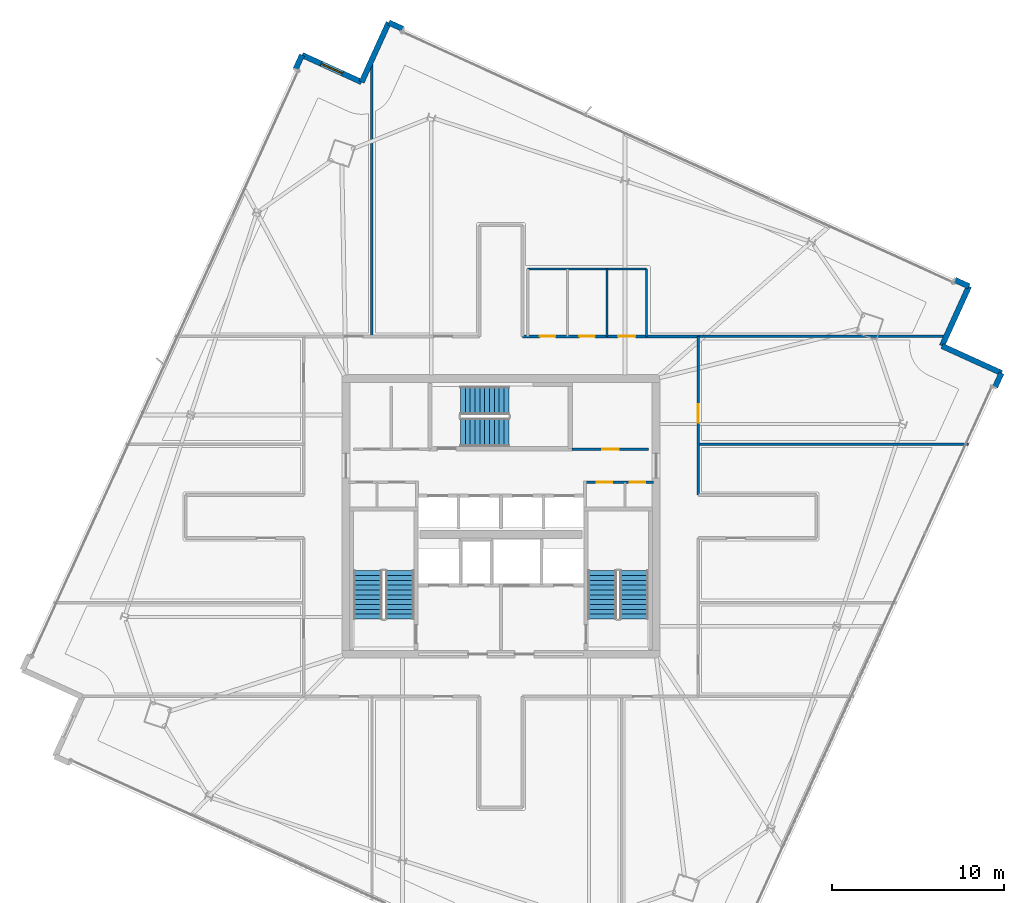
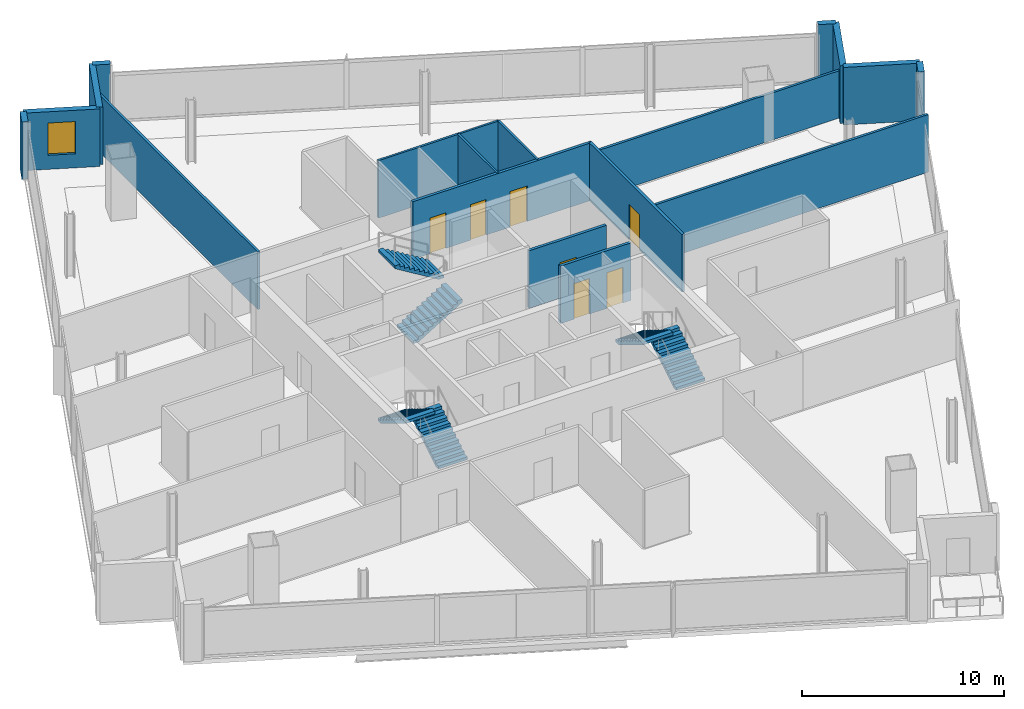
# One storey, part 21 of 26: 18 walls, 7 doors, 6 stair flights, 1 window, 8 openings, 3 elements without a shape of their own.
"""IFC4 building model written with IfcOpenShell, lengths in metres."""

from ifc_helpers import new_model, si_unit, direction, frame, frame_2d, origin, place, context, subcontext, project, spatial, polyline, rectangle, outline, extrude, material, layer, layer_set, type_object, element, fill, aggregate, save


model = new_model("IFC4")

# Units and contexts
model_context = context("Model", 3, precision=1e-05, world=origin(), true_north=direction((0.0, 1.0)))
body_context = subcontext(model_context, "Body", "Model", "MODEL_VIEW")
ifc_project = project(units=[si_unit("LENGTHUNIT", "METRE"), si_unit("AREAUNIT", "SQUARE_METRE"), si_unit("VOLUMEUNIT", "CUBIC_METRE"), si_unit("PLANEANGLEUNIT", "RADIAN"), si_unit("MASSUNIT", "GRAM", prefix="KILO")], contexts=[model_context])

# Site, building, storey
site_placement = place(None, origin())
site = spatial("IfcSite", under=ifc_project, at=site_placement, CompositionType="ELEMENT")
building_placement = place(site_placement, origin())
building = spatial("IfcBuilding", under=site, at=building_placement, Name="Haldenkirk Collegiate Tower", CompositionType="ELEMENT")
storey_placement = place(building_placement, frame((0.0, 0.0, 248.699951171875)))
storey = spatial("IfcBuildingStorey", under=building, at=storey_placement, Name="L62", CompositionType="ELEMENT", Elevation=248.699951171875)

# Walls
ifc_material_1 = material(Name="Precast concrete f'c 40 MPa", Category="concrete")
ifc_layer_1 = layer(ifc_material_1, 0.320068359375)
ifc_layer_set_1 = layer_set([ifc_layer_1], Name="Precast concrete f'c 40 MPa")
wall_type_1 = type_object("IfcWallType", Name="WL-EXT-TWR-320", PredefinedType="STANDARD", material=ifc_layer_set_1)
wall_1_placement = place(storey_placement, frame((65.0498046875, 34.32275390625, 0.0), z_axis=(0.0, 0.0, 1.0), x_axis=(-0.413925559836, -0.910310733165, 0.0)))
element("IfcWall", 1, at=wall_1_placement, inside=storey, type_object=wall_type_1, Name="L62 precast corner pier SL", PredefinedType="STANDARD", context=body_context, shape_type="SweptSolid", body=[
    extrude(rectangle(XDim=0.900146484375, YDim=0.320068359375, at=frame_2d((0.4501953125, 0.0))), origin(), (0.0, 0.0, 1.0), 3.47998046875),
])
for number, where, z_axis, x_axis, name in (
    (2, (61.590576171875, 35.8955078125, 0.0), (0.0, 0.0, 1.0), (0.910329069121, -0.413885232781, 0.0), "L62 bronze precast notch wall 02"),
    (3, (63.163330078125, 39.354736328125, 0.0), (0.0, 0.0, 1.0), (-0.413885232781, -0.910329069121, 0.0), "L62 bronze precast notch wall 03"),
):
    element("IfcWall", number, at=place(storey_placement, frame(where, z_axis=z_axis, x_axis=x_axis)), inside=storey, type_object=wall_type_1, Name=name, PredefinedType="STANDARD", context=body_context, shape_type="SweptSolid", body=[
        extrude(rectangle(XDim=3.800048828125, YDim=0.320068359375, at=frame_2d((1.89990234375, 0.0))), origin(), (0.0, 0.0, 1.0), 3.47998046875),
    ])
for number, where, z_axis, x_axis, name in (
    (4, (29.4814453125, 54.6689453125, 0.0), (0.0, 0.0, 1.0), (0.910310733165, -0.413925559836, 0.0), "L62 precast corner pier EL"),
    (5, (62.343994140625, 39.727294921875, 0.0), (0.0, 0.0, 1.0), (0.910310733165, -0.413925559836, 0.0), "L62 precast corner pier ER"),
):
    element("IfcWall", number, at=place(storey_placement, frame(where, z_axis=z_axis, x_axis=x_axis)), inside=storey, type_object=wall_type_1, Name=name, PredefinedType="STANDARD", context=body_context, shape_type="SweptSolid", body=[
        extrude(rectangle(XDim=0.900146484375, YDim=0.320068359375, at=frame_2d((0.4501953125, 0.0))), origin(), (0.0, 0.0, 1.0), 3.47998046875),
    ])
wall_2_placement = place(storey_placement, frame((27.90869140625, 51.209716796875, 0.0), z_axis=(0.0, 0.0, 1.0), x_axis=(0.413885232781, 0.910329069121, 0.0)))
element("IfcWall", 6, at=wall_2_placement, inside=storey, type_object=wall_type_1, Name="L62 bronze precast notch wall 05", PredefinedType="STANDARD", context=body_context, shape_type="SweptSolid", body=[
    extrude(rectangle(XDim=3.800048828125, YDim=0.320068359375, at=frame_2d((1.89990234375, 0.0))), origin(), (0.0, 0.0, 1.0), 3.47998046875),
])

# Wall, opening, window
wall_3_placement = place(storey_placement, frame((24.449462890625, 52.782470703125, 0.0), z_axis=(0.0, 0.0, 1.0), x_axis=(0.910329069121, -0.413885232781, 0.0)))
wall_3 = element("IfcWall", 7, at=wall_3_placement, inside=storey, type_object=wall_type_1, Name="L62 bronze precast notch wall 06", PredefinedType="STANDARD", context=body_context, shape_type="SweptSolid", body=[
    extrude(rectangle(XDim=3.800048828125, YDim=0.320068359375, at=frame_2d((1.89990234375, 0.0))), origin(), (0.0, 0.0, 1.0), 3.47998046875),
])
opening_1_placement = place(wall_3_placement, frame((1.22509765625, 0.0, 0.85009765625)))
opening_1 = element("IfcOpeningElement", 8, at=opening_1_placement, cuts=wall_3, Name="Opening W-07", PredefinedType="OPENING", context=body_context, shape_type="SweptSolid", body=[
    extrude(rectangle(XDim=1.35009765625, YDim=1.949951171875, at=frame_2d((0.675048828125, 0.97509765625))), frame((0.0, 0.169921875, 0.0), z_axis=(0.0, -1.0, 0.0), x_axis=(1.0, 0.0, 0.0)), (0.0, 0.0, 1.0), 0.340087890625),
])
ifc_material_2 = material(Name="Low-E argon triple insulating glass", Category="glass")
ifc_layer_2 = layer(ifc_material_2, 0.090087890625)
ifc_layer_set_2 = layer_set([ifc_layer_2], Name="Low-E argon triple insulating glass")
window_type = type_object("IfcWindowType", Name="WN-Z5-1350X1950", PartitioningType="SINGLE_PANEL", PredefinedType="WINDOW", material=ifc_layer_set_2)
window_placement = place(opening_1_placement, origin())
window = element("IfcWindow", 9, at=window_placement, inside=storey, type_object=window_type, Name="L62 precast-frame academic window 5", OverallHeight=1.949951171875, OverallWidth=1.35009765625, PartitioningType="SINGLE_PANEL", PredefinedType="WINDOW", context=body_context, shape_type="SweptSolid", body=[
    extrude(rectangle(XDim=1.35009765625, YDim=1.949951171875, at=frame_2d((0.675048828125, 0.97509765625))), frame((0.0, 0.030029296875, 0.0), z_axis=(0.0, -1.0, 0.0), x_axis=(1.0, 0.0, 0.0)), (0.0, 0.0, 1.0), 0.06005859375),
])
fill(opening_1, window)

# Wall
wall_4_placement = place(storey_placement, frame((24.076904296875, 51.963134765625, 0.0), z_axis=(0.0, 0.0, 1.0), x_axis=(0.413925559836, 0.910310733165, 0.0)))
element("IfcWall", 10, at=wall_4_placement, inside=storey, type_object=wall_type_1, Name="L62 precast corner pier NR", PredefinedType="STANDARD", context=body_context, shape_type="SweptSolid", body=[
    extrude(rectangle(XDim=0.900146484375, YDim=0.320068359375, at=frame_2d((0.4501953125, 0.0))), origin(), (0.0, 0.0, 1.0), 3.47998046875),
])

# Wall, openings, doors
ifc_material_3 = material(Name="Acoustic fire-rated gypsum partition", Category="concrete")
ifc_layer_3 = layer(ifc_material_3, 0.159912109375)
ifc_layer_set_3 = layer_set([ifc_layer_3], Name="Acoustic fire-rated gypsum partition")
wall_type_2 = type_object("IfcWallType", Name="WL-INT-CORR-160", PredefinedType="PARTITIONING", material=ifc_layer_set_3)
wall_5_placement = place(storey_placement, frame((40.800048828125, 27.97998046875, 0.0), z_axis=(0.0, 0.0, 1.0), x_axis=(1.0, 0.0, 0.0)))
wall_5 = element("IfcWall", 11, at=wall_5_placement, inside=storey, type_object=wall_type_2, Name="L62 interior partition IW-L62-VCSE-N", PredefinedType="PARTITIONING", context=body_context, shape_type="SweptSolid", body=[
    extrude(rectangle(XDim=4.050048828125, YDim=0.159912109375, at=frame_2d((2.02490234375, 0.0))), origin(), (0.0, 0.0, 1.0), 3.47998046875),
])
opening_2_placement = place(wall_5_placement, frame((0.77001953125, 0.0, 0.0)))
opening_2 = element("IfcOpeningElement", 12, at=opening_2_placement, cuts=wall_5, Name="Opening D-11", PredefinedType="OPENING", context=body_context, shape_type="SweptSolid", body=[
    extrude(rectangle(XDim=0.89990234375, YDim=2.14990234375, at=frame_2d((0.449951171875, 1.074951171875))), frame((0.0, 0.08984375, 0.0), z_axis=(0.0, -1.0, 0.0), x_axis=(1.0, 0.0, 0.0)), (0.0, 0.0, 1.0), 0.179931640625),
])
opening_3_placement = place(wall_5_placement, frame((2.679931640625, 0.0, 0.0)))
opening_3 = element("IfcOpeningElement", 13, at=opening_3_placement, cuts=wall_5, Name="Opening D-11", PredefinedType="OPENING", context=body_context, shape_type="SweptSolid", body=[
    extrude(rectangle(XDim=0.89990234375, YDim=2.14990234375, at=frame_2d((0.449951171875, 1.074951171875))), frame((0.0, 0.08984375, 0.0), z_axis=(0.0, -1.0, 0.0), x_axis=(1.0, 0.0, 0.0)), (0.0, 0.0, 1.0), 0.179931640625),
])
ifc_material_4 = material(Name="Solid-core architectural oak fire door", Category="wood")
ifc_layer_4 = layer(ifc_material_4, 0.06005859375)
ifc_layer_set_4 = layer_set([ifc_layer_4], Name="Solid-core architectural oak fire door")
door_type_1 = type_object("IfcDoorType", Name="DR-INT-FD60-900", OperationType="NOTDEFINED", PredefinedType="DOOR", material=ifc_layer_set_4)
door_1_placement = place(opening_2_placement, origin())
door_1 = element("IfcDoor", 14, at=door_1_placement, inside=storey, type_object=door_type_1, Name="L62 core archive door", OperationType="SINGLE_SWING_RIGHT", OverallHeight=2.14990234375, OverallWidth=0.89990234375, PredefinedType="DOOR", context=body_context, shape_type="SweptSolid", body=[
    extrude(rectangle(XDim=0.89990234375, YDim=2.14990234375, at=frame_2d((0.449951171875, 1.074951171875))), frame((0.0, 0.02490234375, 0.0), z_axis=(0.0, -1.0, 0.0), x_axis=(1.0, 0.0, 0.0)), (0.0, 0.0, 1.0), 0.050048828125),
])
fill(opening_2, door_1)
door_2_placement = place(opening_3_placement, origin())
door_2 = element("IfcDoor", 15, at=door_2_placement, inside=storey, type_object=door_type_1, Name="L62 core telecom door", OperationType="SINGLE_SWING_LEFT", OverallHeight=2.14990234375, OverallWidth=0.89990234375, PredefinedType="DOOR", context=body_context, shape_type="SweptSolid", body=[
    extrude(rectangle(XDim=0.89990234375, YDim=2.14990234375, at=frame_2d((0.449951171875, 1.074951171875))), frame((0.0, 0.02490234375, 0.0), z_axis=(0.0, -1.0, 0.0), x_axis=(1.0, 0.0, 0.0)), (0.0, 0.0, 1.0), 0.050048828125),
])
fill(opening_3, door_2)

# Wall, opening, door
wall_6_placement = place(storey_placement, frame((40.1201171875, 29.89990234375, 0.0), z_axis=(0.0, 0.0, 1.0), x_axis=(1.0, 0.0, 0.0)))
wall_6 = element("IfcWall", 16, at=wall_6_placement, inside=storey, type_object=wall_type_2, Name="L62 interior partition IW-L62-PMS", PredefinedType="PARTITIONING", context=body_context, shape_type="SweptSolid", body=[
    extrude(rectangle(XDim=4.429931640625, YDim=0.159912109375, at=frame_2d((2.21484375, 0.0))), origin(), (0.0, 0.0, 1.0), 3.47998046875),
])
opening_4_placement = place(wall_6_placement, frame((1.7548828125, 0.0, 0.0)))
opening_4 = element("IfcOpeningElement", 17, at=opening_4_placement, cuts=wall_6, Name="Opening D-10", PredefinedType="OPENING", context=body_context, shape_type="SweptSolid", body=[
    extrude(rectangle(XDim=0.949951171875, YDim=2.14990234375, at=frame_2d((0.47509765625, 1.074951171875))), frame((0.0, 0.08984375, 0.0), z_axis=(0.0, -1.0, 0.0), x_axis=(1.0, 0.0, 0.0)), (0.0, 0.0, 1.0), 0.179931640625),
])
ifc_layer_5 = layer(ifc_material_4, 0.06005859375)
ifc_layer_set_5 = layer_set([ifc_layer_5], Name="Solid-core architectural oak fire door")
door_type_2 = type_object("IfcDoorType", Name="DR-INT-FD60-950", OperationType="NOTDEFINED", PredefinedType="DOOR", material=ifc_layer_set_5)
door_3_placement = place(opening_4_placement, origin())
door_3 = element("IfcDoor", 18, at=door_3_placement, inside=storey, type_object=door_type_2, Name="L62 reference archive door", OperationType="SINGLE_SWING_RIGHT", OverallHeight=2.14990234375, OverallWidth=0.949951171875, PredefinedType="DOOR", context=body_context, shape_type="SweptSolid", body=[
    extrude(rectangle(XDim=0.949951171875, YDim=2.14990234375, at=frame_2d((0.47509765625, 1.074951171875))), frame((0.0, 0.02490234375, 0.0), z_axis=(0.0, -1.0, 0.0), x_axis=(1.0, 0.0, 0.0)), (0.0, 0.0, 1.0), 0.050048828125),
])
fill(opening_4, door_3)

# Wall, openings, doors
wall_7_placement = place(storey_placement, frame((37.25, 36.449951171875, 0.0), z_axis=(0.0, 0.0, 1.0), x_axis=(1.0, 0.0, 0.0)))
wall_7 = element("IfcWall", 19, at=wall_7_placement, inside=storey, type_object=wall_type_2, Name="L62 interior partition IW-L62-CN2", PredefinedType="PARTITIONING", context=body_context, shape_type="SweptSolid", body=[
    extrude(rectangle(XDim=10.25, YDim=0.159912109375, at=frame_2d((5.125, 0.0))), origin(), (0.0, 0.0, 1.0), 3.47998046875),
])
opening_5_placement = place(wall_7_placement, frame((1.0, 0.0, 0.0)))
opening_5 = element("IfcOpeningElement", 20, at=opening_5_placement, cuts=wall_7, Name="Opening D-13", PredefinedType="OPENING", context=body_context, shape_type="SweptSolid", body=[
    extrude(rectangle(XDim=0.89990234375, YDim=2.14990234375, at=frame_2d((0.449951171875, 1.074951171875))), frame((0.0, 0.08984375, 0.0), z_axis=(0.0, -1.0, 0.0), x_axis=(1.0, 0.0, 0.0)), (0.0, 0.0, 1.0), 0.179931640625),
])
opening_6_placement = place(wall_7_placement, frame((3.300048828125, 0.0, 0.0)))
opening_6 = element("IfcOpeningElement", 21, at=opening_6_placement, cuts=wall_7, Name="Opening D-13", PredefinedType="OPENING", context=body_context, shape_type="SweptSolid", body=[
    extrude(rectangle(XDim=0.89990234375, YDim=2.14990234375, at=frame_2d((0.449951171875, 1.074951171875))), frame((0.0, 0.08984375, 0.0), z_axis=(0.0, -1.0, 0.0), x_axis=(1.0, 0.0, 0.0)), (0.0, 0.0, 1.0), 0.179931640625),
])
opening_7_placement = place(wall_7_placement, frame((5.550048828125, 0.0, 0.0)))
opening_7 = element("IfcOpeningElement", 22, at=opening_7_placement, cuts=wall_7, Name="Opening D-14", PredefinedType="OPENING", context=body_context, shape_type="SweptSolid", body=[
    extrude(rectangle(XDim=1.0, YDim=2.14990234375, at=frame_2d((0.5, 1.074951171875))), frame((0.0, 0.08984375, 0.0), z_axis=(0.0, -1.0, 0.0), x_axis=(1.0, 0.0, 0.0)), (0.0, 0.0, 1.0), 0.179931640625),
])
ifc_layer_6 = layer(ifc_material_4, 0.06005859375)
ifc_layer_set_6 = layer_set([ifc_layer_6], Name="Solid-core architectural oak fire door")
door_type_3 = type_object("IfcDoorType", Name="DR-INT-ACC-1000", OperationType="NOTDEFINED", PredefinedType="DOOR", material=ifc_layer_set_6)
door_4_placement = place(opening_7_placement, origin())
door_4 = element("IfcDoor", 23, at=door_4_placement, inside=storey, type_object=door_type_3, Name="L62 Accessible WC door", OperationType="SINGLE_SWING_LEFT", OverallHeight=2.14990234375, OverallWidth=1.0, PredefinedType="DOOR", context=body_context, shape_type="SweptSolid", body=[
    extrude(rectangle(XDim=1.0, YDim=2.14990234375, at=frame_2d((0.5, 1.074951171875))), frame((0.0, 0.02490234375, 0.0), z_axis=(0.0, -1.0, 0.0), x_axis=(1.0, 0.0, 0.0)), (0.0, 0.0, 1.0), 0.050048828125),
])
fill(opening_7, door_4)
ifc_layer_7 = layer(ifc_material_4, 0.06005859375)
ifc_layer_set_7 = layer_set([ifc_layer_7], Name="Solid-core architectural oak fire door")
door_type_4 = type_object("IfcDoorType", Name="DR-INT-STD-900", OperationType="NOTDEFINED", PredefinedType="DOOR", material=ifc_layer_set_7)
door_5_placement = place(opening_5_placement, origin())
door_5 = element("IfcDoor", 24, at=door_5_placement, inside=storey, type_object=door_type_4, Name="L62 Male WC door", OperationType="SINGLE_SWING_LEFT", OverallHeight=2.14990234375, OverallWidth=0.89990234375, PredefinedType="DOOR", context=body_context, shape_type="SweptSolid", body=[
    extrude(rectangle(XDim=0.89990234375, YDim=2.14990234375, at=frame_2d((0.449951171875, 1.074951171875))), frame((0.0, 0.02490234375, 0.0), z_axis=(0.0, -1.0, 0.0), x_axis=(1.0, 0.0, 0.0)), (0.0, 0.0, 1.0), 0.050048828125),
])
fill(opening_5, door_5)
door_6_placement = place(opening_6_placement, origin())
door_6 = element("IfcDoor", 25, at=door_6_placement, inside=storey, type_object=door_type_4, Name="L62 Female WC door", OperationType="SINGLE_SWING_RIGHT", OverallHeight=2.14990234375, OverallWidth=0.89990234375, PredefinedType="DOOR", context=body_context, shape_type="SweptSolid", body=[
    extrude(rectangle(XDim=0.89990234375, YDim=2.14990234375, at=frame_2d((0.449951171875, 1.074951171875))), frame((0.0, 0.02490234375, 0.0), z_axis=(0.0, -1.0, 0.0), x_axis=(1.0, 0.0, 0.0)), (0.0, 0.0, 1.0), 0.050048828125),
])
fill(opening_6, door_6)

# Wall, opening, door
wall_8_placement = place(storey_placement, frame((47.449951171875, 27.25, 0.0), z_axis=(0.0, 0.0, 1.0), x_axis=(0.0, 1.0, 0.0)))
wall_8 = element("IfcWall", 26, at=wall_8_placement, inside=storey, type_object=wall_type_2, Name="L62 interior partition IW-L62-CE2", PredefinedType="PARTITIONING", context=body_context, shape_type="SweptSolid", body=[
    extrude(rectangle(XDim=9.199951171875, YDim=0.159912109375, at=frame_2d((4.60009765625, 0.0))), origin(), (0.0, 0.0, 1.0), 3.47998046875),
])
opening_8_placement = place(wall_8_placement, frame((4.198974609375, 0.0, 0.0)))
opening_8 = element("IfcOpeningElement", 27, at=opening_8_placement, cuts=wall_8, Name="Opening D-09", PredefinedType="OPENING", context=body_context, shape_type="SweptSolid", body=[
    extrude(rectangle(XDim=1.050048828125, YDim=2.14990234375, at=frame_2d((0.52490234375, 1.074951171875))), frame((0.0, 0.08984375, 0.0), z_axis=(0.0, -1.0, 0.0), x_axis=(1.0, 0.0, 0.0)), (0.0, 0.0, 1.0), 0.179931640625),
])
ifc_layer_8 = layer(ifc_material_4, 0.06005859375)
ifc_layer_set_8 = layer_set([ifc_layer_8], Name="Solid-core architectural oak fire door")
door_type_5 = type_object("IfcDoorType", Name="DR-INT-FD60-1050", OperationType="NOTDEFINED", PredefinedType="DOOR", material=ifc_layer_set_8)
door_7_placement = place(opening_8_placement, origin())
door_7 = element("IfcDoor", 28, at=door_7_placement, inside=storey, type_object=door_type_5, Name="L62 Visiting Scholar Office 11 door", OperationType="SINGLE_SWING_RIGHT", OverallHeight=2.14990234375, OverallWidth=1.050048828125, PredefinedType="DOOR", context=body_context, shape_type="SweptSolid", body=[
    extrude(rectangle(XDim=1.050048828125, YDim=2.14990234375, at=frame_2d((0.52490234375, 1.074951171875))), frame((0.0, 0.02490234375, 0.0), z_axis=(0.0, -1.0, 0.0), x_axis=(1.0, 0.0, 0.0)), (0.0, 0.0, 1.0), 0.050048828125),
])
fill(opening_8, door_7)

# Walls
ifc_layer_9 = layer(ifc_material_3, 0.139892578125)
ifc_layer_set_9 = layer_set([ifc_layer_9], Name="Acoustic fire-rated gypsum partition")
wall_type_3 = type_object("IfcWallType", Name="WL-INT-DIV-140", PredefinedType="PARTITIONING", material=ifc_layer_set_9)
wall_9_placement = place(storey_placement, frame((47.449951171875, 36.449951171875, 0.0), z_axis=(0.0, 0.0, 1.0), x_axis=(1.0, 0.0, 0.0)))
element("IfcWall", 29, at=wall_9_placement, inside=storey, type_object=wall_type_3, Name="L62 interior partition IW-L62-BEN", PredefinedType="PARTITIONING", context=body_context, shape_type="SweptSolid", body=[
    extrude(rectangle(XDim=14.348876953125, YDim=0.139892578125, at=frame_2d((7.17431640625, 0.0))), origin(), (0.0, 0.0, 1.0), 2.858154296875),
])
wall_10_placement = place(storey_placement, frame((28.5, 36.449951171875, 0.0), z_axis=(0.0, 0.0, 1.0), x_axis=(0.0, 1.0, 0.0)))
element("IfcWall", 30, at=wall_10_placement, inside=storey, type_object=wall_type_3, Name="L62 interior partition IW-L62-RN1", PredefinedType="PARTITIONING", context=body_context, shape_type="SweptSolid", body=[
    extrude(rectangle(XDim=15.963623046875, YDim=0.139892578125, at=frame_2d((7.98193359375, 0.0))), origin(), (0.0, 0.0, 1.0), 3.47998046875),
])
wall_11_placement = place(storey_placement, frame((47.449951171875, 30.199951171875, 0.0), z_axis=(0.0, 0.0, 1.0), x_axis=(1.0, 0.0, 0.0)))
element("IfcWall", 31, at=wall_11_placement, inside=storey, type_object=wall_type_3, Name="L62 interior partition IW-L62-RE2", PredefinedType="PARTITIONING", context=body_context, shape_type="SweptSolid", body=[
    extrude(rectangle(XDim=15.681396484375, YDim=0.139892578125, at=frame_2d((7.8408203125, 0.0))), origin(), (0.0, 0.0, 1.0), 3.47998046875),
])
ifc_layer_10 = layer(ifc_material_3, 0.1201171875)
ifc_layer_set_10 = layer_set([ifc_layer_10], Name="Acoustic fire-rated gypsum partition")
wall_type_4 = type_object("IfcWallType", Name="WL-INT-WET-120", PredefinedType="PARTITIONING", material=ifc_layer_set_10)
for number, where, z_axis, x_axis, name in (
    (32, (42.14990234375, 36.449951171875, 0.0), (0.0, 0.0, 1.0), (0.0, 1.0, 0.0), "L62 interior partition IW-L62-WC2"),
    (33, (44.449951171875, 36.449951171875, 0.0), (0.0, 0.0, 1.0), (0.0, 1.0, 0.0), "L62 interior partition IW-L62-WCE"),
):
    element("IfcWall", number, at=place(storey_placement, frame(where, z_axis=z_axis, x_axis=x_axis)), inside=storey, type_object=wall_type_4, Name=name, PredefinedType="PARTITIONING", context=body_context, shape_type="SweptSolid", body=[
        extrude(rectangle(XDim=3.900146484375, YDim=0.1201171875, at=frame_2d((1.9501953125, 0.0))), origin(), (0.0, 0.0, 1.0), 3.47998046875),
    ])
wall_12_placement = place(storey_placement, frame((37.550048828125, 40.35009765625, 0.0), z_axis=(0.0, 0.0, 1.0), x_axis=(1.0, 0.0, 0.0)))
element("IfcWall", 34, at=wall_12_placement, inside=storey, type_object=wall_type_4, Name="L62 interior partition IW-L62-WCB", PredefinedType="PARTITIONING", context=body_context, shape_type="SweptSolid", body=[
    extrude(rectangle(XDim=6.89990234375, YDim=0.1201171875, at=frame_2d((3.449951171875, 0.0))), origin(), (0.0, 0.0, 1.0), 3.47998046875),
])

# Stair, stair flights
ifc_material_5 = material(Name="Concrete f'c 40 MPa", Category="concrete")
stair_type = type_object("IfcStairType", Name="STR-DOGLEG-1650", PredefinedType="HALF_TURN_STAIR", material=ifc_material_5)
stair_1_placement = place(storey_placement, origin())
stair_1 = element("IfcStair", 35, at=stair_1_placement, inside=storey, type_object=stair_type, Name="L62 Core Exit Stair ST-1", PredefinedType="HALF_TURN_STAIR")
stair_flight_type = type_object("IfcStairFlightType", Name="STF-FLIGHT-1650", PredefinedType="STRAIGHT", material=ifc_material_5)
stair_flight_1_placement = place(storey_placement, frame((30.125, 20.050048828125, 0.0), z_axis=(0.0, 0.0, 1.0), x_axis=(0.0, 1.0, 0.0)))
stair_flight_1 = element("IfcStairFlight", 36, at=stair_flight_1_placement, type_object=stair_flight_type, Name="ST-1 flight 1", NumberOfRisers=11, NumberOfTreads=10, PredefinedType="STRAIGHT", RiserHeight=0.170454545, TreadLength=0.28, context=body_context, shape_type="SweptSolid", body=[
    extrude(outline(polyline([(0.0, 0.0), (0.0, 0.17041015625), (0.280029296875, 0.17041015625), (0.280029296875, 0.3408203125), (0.56005859375, 0.3408203125), (0.56005859375, 0.511474609375), (0.840087890625, 0.511474609375), (0.840087890625, 0.681884765625), (1.1201171875, 0.681884765625), (1.1201171875, 0.852294921875), (1.39990234375, 0.852294921875), (1.39990234375, 1.022705078125), (1.679931640625, 1.022705078125), (1.679931640625, 1.193115234375), (1.9599609375, 1.193115234375), (1.9599609375, 1.363525390625), (2.239990234375, 1.363525390625), (2.239990234375, 1.5341796875), (2.52001953125, 1.5341796875), (2.52001953125, 1.70458984375), (2.800048828125, 1.70458984375), (2.800048828125, 1.875), (2.800048828125, 1.529052734375), (0.288330078125, 0.0), (0.0, 0.0)])), frame((0.0, 0.824951171875, 0.0), z_axis=(0.0, -1.0, 0.0), x_axis=(1.0, 0.0, 0.0)), (0.0, 0.0, 1.0), 1.64990234375),
])
stair_flight_2_placement = place(storey_placement, frame((28.27490234375, 22.85009765625, 1.875), z_axis=(0.0, 0.0, 1.0), x_axis=(0.0, -1.0, 0.0)))
stair_flight_2 = element("IfcStairFlight", 37, at=stair_flight_2_placement, type_object=stair_flight_type, Name="ST-1 flight 2", NumberOfRisers=11, NumberOfTreads=10, PredefinedType="STRAIGHT", RiserHeight=0.170454545, TreadLength=0.28, context=body_context, shape_type="SweptSolid", body=[
    extrude(outline(polyline([(0.0, 0.0), (0.0, 0.17041015625), (0.280029296875, 0.17041015625), (0.280029296875, 0.3408203125), (0.56005859375, 0.3408203125), (0.56005859375, 0.511474609375), (0.840087890625, 0.511474609375), (0.840087890625, 0.681884765625), (1.1201171875, 0.681884765625), (1.1201171875, 0.852294921875), (1.39990234375, 0.852294921875), (1.39990234375, 1.022705078125), (1.679931640625, 1.022705078125), (1.679931640625, 1.193115234375), (1.9599609375, 1.193115234375), (1.9599609375, 1.363525390625), (2.239990234375, 1.363525390625), (2.239990234375, 1.5341796875), (2.52001953125, 1.5341796875), (2.52001953125, 1.70458984375), (2.800048828125, 1.70458984375), (2.800048828125, 1.875), (2.800048828125, 1.529052734375), (0.288330078125, 0.0), (0.0, 0.0)])), frame((0.0, 0.824951171875, 0.0), z_axis=(0.0, -1.0, 0.0), x_axis=(1.0, 0.0, 0.0)), (0.0, 0.0, 1.0), 1.64990234375),
])
aggregate(stair_1, [stair_flight_1, stair_flight_2])

stair_2_placement = place(storey_placement, origin())
stair_2 = element("IfcStair", 38, at=stair_2_placement, inside=storey, type_object=stair_type, Name="L62 Core Exit Stair ST-2", PredefinedType="HALF_TURN_STAIR")
stair_flight_3_placement = place(storey_placement, frame((43.72509765625, 20.050048828125, 0.0), z_axis=(0.0, 0.0, 1.0), x_axis=(0.0, 1.0, 0.0)))
stair_flight_3 = element("IfcStairFlight", 39, at=stair_flight_3_placement, type_object=stair_flight_type, Name="ST-2 flight 1", NumberOfRisers=11, NumberOfTreads=10, PredefinedType="STRAIGHT", RiserHeight=0.170454545, TreadLength=0.28, context=body_context, shape_type="SweptSolid", body=[
    extrude(outline(polyline([(0.0, 0.0), (0.0, 0.17041015625), (0.280029296875, 0.17041015625), (0.280029296875, 0.3408203125), (0.56005859375, 0.3408203125), (0.56005859375, 0.511474609375), (0.840087890625, 0.511474609375), (0.840087890625, 0.681884765625), (1.1201171875, 0.681884765625), (1.1201171875, 0.852294921875), (1.39990234375, 0.852294921875), (1.39990234375, 1.022705078125), (1.679931640625, 1.022705078125), (1.679931640625, 1.193115234375), (1.9599609375, 1.193115234375), (1.9599609375, 1.363525390625), (2.239990234375, 1.363525390625), (2.239990234375, 1.5341796875), (2.52001953125, 1.5341796875), (2.52001953125, 1.70458984375), (2.800048828125, 1.70458984375), (2.800048828125, 1.875), (2.800048828125, 1.529052734375), (0.288330078125, 0.0), (0.0, 0.0)])), frame((0.0, 0.824951171875, 0.0), z_axis=(0.0, -1.0, 0.0), x_axis=(1.0, 0.0, 0.0)), (0.0, 0.0, 1.0), 1.64990234375),
])
stair_flight_4_placement = place(storey_placement, frame((41.875, 22.85009765625, 1.875), z_axis=(0.0, 0.0, 1.0), x_axis=(0.0, -1.0, 0.0)))
stair_flight_4 = element("IfcStairFlight", 40, at=stair_flight_4_placement, type_object=stair_flight_type, Name="ST-2 flight 2", NumberOfRisers=11, NumberOfTreads=10, PredefinedType="STRAIGHT", RiserHeight=0.170454545, TreadLength=0.28, context=body_context, shape_type="SweptSolid", body=[
    extrude(outline(polyline([(0.0, 0.0), (0.0, 0.17041015625), (0.280029296875, 0.17041015625), (0.280029296875, 0.3408203125), (0.56005859375, 0.3408203125), (0.56005859375, 0.511474609375), (0.840087890625, 0.511474609375), (0.840087890625, 0.681884765625), (1.1201171875, 0.681884765625), (1.1201171875, 0.852294921875), (1.39990234375, 0.852294921875), (1.39990234375, 1.022705078125), (1.679931640625, 1.022705078125), (1.679931640625, 1.193115234375), (1.9599609375, 1.193115234375), (1.9599609375, 1.363525390625), (2.239990234375, 1.363525390625), (2.239990234375, 1.5341796875), (2.52001953125, 1.5341796875), (2.52001953125, 1.70458984375), (2.800048828125, 1.70458984375), (2.800048828125, 1.875), (2.800048828125, 1.529052734375), (0.288330078125, 0.0), (0.0, 0.0)])), frame((0.0, 0.824951171875, 0.0), z_axis=(0.0, -1.0, 0.0), x_axis=(1.0, 0.0, 0.0)), (0.0, 0.0, 1.0), 1.64990234375),
])
aggregate(stair_2, [stair_flight_3, stair_flight_4])

stair_3_placement = place(storey_placement, origin())
stair_3 = element("IfcStair", 41, at=stair_3_placement, inside=storey, type_object=stair_type, Name="L62 Core Exit Stair ST-3", PredefinedType="HALF_TURN_STAIR")
stair_flight_5_placement = place(storey_placement, frame((33.64990234375, 30.875, 0.0), z_axis=(0.0, 0.0, 1.0), x_axis=(1.0, 0.0, 0.0)))
stair_flight_5 = element("IfcStairFlight", 42, at=stair_flight_5_placement, type_object=stair_flight_type, Name="ST-3 flight 1", NumberOfRisers=11, NumberOfTreads=10, PredefinedType="STRAIGHT", RiserHeight=0.170454545, TreadLength=0.28, context=body_context, shape_type="SweptSolid", body=[
    extrude(outline(polyline([(0.0, 0.0), (0.0, 0.17041015625), (0.280029296875, 0.17041015625), (0.280029296875, 0.3408203125), (0.56005859375, 0.3408203125), (0.56005859375, 0.511474609375), (0.840087890625, 0.511474609375), (0.840087890625, 0.681884765625), (1.1201171875, 0.681884765625), (1.1201171875, 0.852294921875), (1.39990234375, 0.852294921875), (1.39990234375, 1.022705078125), (1.679931640625, 1.022705078125), (1.679931640625, 1.193115234375), (1.9599609375, 1.193115234375), (1.9599609375, 1.363525390625), (2.239990234375, 1.363525390625), (2.239990234375, 1.5341796875), (2.52001953125, 1.5341796875), (2.52001953125, 1.70458984375), (2.800048828125, 1.70458984375), (2.800048828125, 1.875), (2.800048828125, 1.529052734375), (0.288330078125, 0.0), (0.0, 0.0)])), frame((0.0, 0.824951171875, 0.0), z_axis=(0.0, -1.0, 0.0), x_axis=(1.0, 0.0, 0.0)), (0.0, 0.0, 1.0), 1.64990234375),
])
stair_flight_6_placement = place(storey_placement, frame((36.449951171875, 32.72509765625, 1.875), z_axis=(0.0, 0.0, 1.0), x_axis=(-1.0, 0.0, 0.0)))
stair_flight_6 = element("IfcStairFlight", 43, at=stair_flight_6_placement, type_object=stair_flight_type, Name="ST-3 flight 2", NumberOfRisers=11, NumberOfTreads=10, PredefinedType="STRAIGHT", RiserHeight=0.170454545, TreadLength=0.28, context=body_context, shape_type="SweptSolid", body=[
    extrude(outline(polyline([(0.0, 0.0), (0.0, 0.17041015625), (0.280029296875, 0.17041015625), (0.280029296875, 0.3408203125), (0.56005859375, 0.3408203125), (0.56005859375, 0.511474609375), (0.840087890625, 0.511474609375), (0.840087890625, 0.681884765625), (1.1201171875, 0.681884765625), (1.1201171875, 0.852294921875), (1.39990234375, 0.852294921875), (1.39990234375, 1.022705078125), (1.679931640625, 1.022705078125), (1.679931640625, 1.193115234375), (1.9599609375, 1.193115234375), (1.9599609375, 1.363525390625), (2.239990234375, 1.363525390625), (2.239990234375, 1.5341796875), (2.52001953125, 1.5341796875), (2.52001953125, 1.70458984375), (2.800048828125, 1.70458984375), (2.800048828125, 1.875), (2.800048828125, 1.529052734375), (0.288330078125, 0.0), (0.0, 0.0)])), frame((0.0, 0.824951171875, 0.0), z_axis=(0.0, -1.0, 0.0), x_axis=(1.0, 0.0, 0.0)), (0.0, 0.0, 1.0), 1.64990234375),
])
aggregate(stair_3, [stair_flight_5, stair_flight_6])

save(model, "model.ifc")
